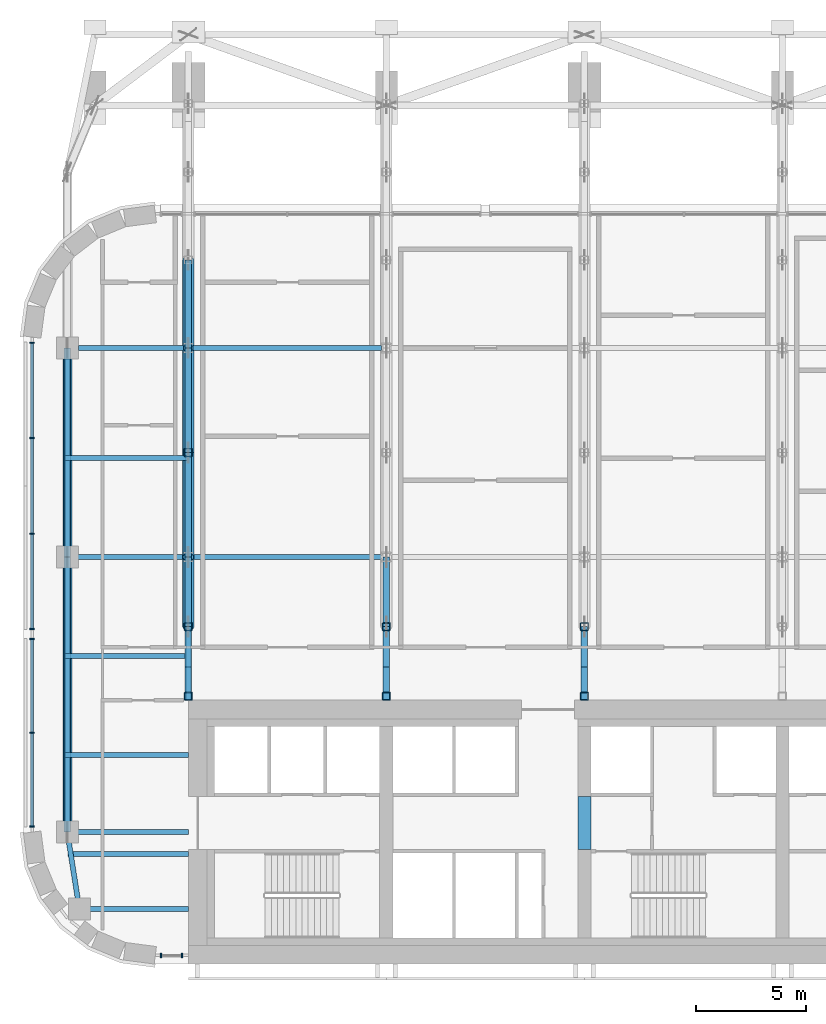
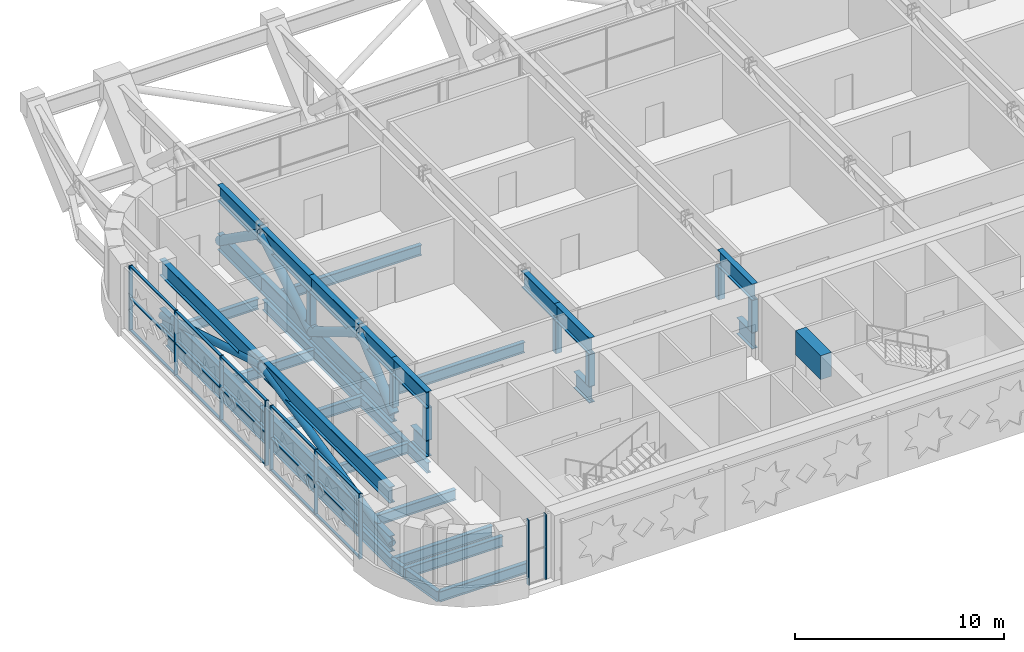
# One storey, part 2 of 23: 56 members, 14 beams, 3 elements without a shape of their own.
"""IFC4 building model written with IfcOpenShell, lengths in metres."""

from ifc_helpers import new_model, si_unit, direction, frame, origin, origin_2d, place, context, subcontext, project, spatial, rectangle, hollow_rectangle, hollow_circle, i_section, extrude, material, material_profile, profile_set, type_object, element, aggregate, save


model = new_model("IFC4")

# Units and contexts
model_context = context("Model", 3, precision=1e-05, world=origin(), true_north=direction((0.0, 1.0)))
body_context = subcontext(model_context, "Body", "Model", "MODEL_VIEW")
ifc_project = project(units=[si_unit("LENGTHUNIT", "METRE"), si_unit("AREAUNIT", "SQUARE_METRE"), si_unit("VOLUMEUNIT", "CUBIC_METRE"), si_unit("PLANEANGLEUNIT", "RADIAN"), si_unit("MASSUNIT", "GRAM", prefix="KILO")], contexts=[model_context])

# Site, building, storey
site_placement = place(None, origin())
site = spatial("IfcSite", under=ifc_project, at=site_placement, CompositionType="ELEMENT")
building_placement = place(site_placement, origin())
building = spatial("IfcBuilding", under=site, at=building_placement, Name="Zellij Exchange Tower", CompositionType="ELEMENT")
storey_placement = place(building_placement, frame((0.0, 0.0, 160.5)))
storey = spatial("IfcBuildingStorey", under=building, at=storey_placement, Name="L36", CompositionType="ELEMENT", Elevation=160.5)

# Beam
ifc_material_1 = material(Name="Concrete C60/75", Category="concrete")
ifc_material_profile_1 = material_profile(ifc_material_1, rectangle(XDim=0.60009765625, YDim=1.39990234375, at=origin_2d()), Name="CORE-CB 600x1400 C60/75")
ifc_profile_set_1 = profile_set([ifc_material_profile_1], Name="Concrete C60/75")
beam_type_1 = type_object("IfcBeamType", Name="CORE-CB 600x1400 C60/75", PredefinedType="BEAM", material=ifc_profile_set_1)
beam_1_placement = place(storey_placement, frame((-9.0, -8.800048828125, 3.10009765625), z_axis=(0.0, 1.0, 0.0), x_axis=(-1.0, 0.0, 0.0)))
element("IfcBeam", 1, at=beam_1_placement, inside=storey, type_object=beam_type_1, Name="Core coupling beam x -9 L36", PredefinedType="BEAM", context=body_context, shape_type="SweptSolid", body=[
    extrude(rectangle(XDim=0.60009765625, YDim=1.39990234375, at=origin_2d()), origin(), (0.0, 0.0, 1.0), 2.425048828125),
])

# Curtain wall, members
ifc_material_2 = material(Name="Aluminium frame, clear insulating glass", Category="aluminium")
curtain_wall_type = type_object("IfcCurtainWallType", Name="ENV-CW2 Outrigger-storey glazing", PredefinedType="NOTDEFINED", material=ifc_material_2)
curtain_wall_1_placement = place(storey_placement, origin())
curtain_wall_1 = element("IfcCurtainWall", 2, at=curtain_wall_1_placement, inside=storey, type_object=curtain_wall_type, Name="cw.L36.00a", PredefinedType="NOTDEFINED")
ifc_material_3 = material(Name="Aluminium", Category="aluminium")
ifc_material_profile_2 = material_profile(ifc_material_3, rectangle(XDim=0.06005859375, YDim=0.199951171875, at=origin_2d()), Name="AL 60x200")
ifc_profile_set_2 = profile_set([ifc_material_profile_2], Name="Aluminium")
member_type_1 = type_object("IfcMemberType", Name="ENV-CW2M Mullion 60x200", PredefinedType="MULLION", material=ifc_profile_set_2)
member_1_placement = place(storey_placement, frame((-28.243896484375, -13.60009765625, 0.0), z_axis=(0.0, 0.0, 1.0), x_axis=(1.0, 0.0, 0.0)))
member_1 = element("IfcMember", 3, at=member_1_placement, type_object=member_type_1, Name="CW2 mullion 1", PredefinedType="MULLION", context=body_context, shape_type="SweptSolid", body=[
    extrude(rectangle(XDim=0.06005859375, YDim=0.199951171875, at=origin_2d()), origin(), (0.0, 0.0, 1.0), 3.800048828125),
])
member_2_placement = place(storey_placement, frame((-27.280029296875, -13.60009765625, 0.0), z_axis=(0.0, 0.0, 1.0), x_axis=(1.0, 0.0, 0.0)))
member_2 = element("IfcMember", 4, at=member_2_placement, type_object=member_type_1, Name="CW2 mullion 2", PredefinedType="MULLION", context=body_context, shape_type="SweptSolid", body=[
    extrude(rectangle(XDim=0.06005859375, YDim=0.199951171875, at=origin_2d()), origin(), (0.0, 0.0, 1.0), 3.800048828125),
])
aggregate(curtain_wall_1, [member_1, member_2])

curtain_wall_2_placement = place(storey_placement, origin())
curtain_wall_2 = element("IfcCurtainWall", 5, at=curtain_wall_2_placement, inside=storey, type_object=curtain_wall_type, Name="cw.L36.21a", PredefinedType="NOTDEFINED")
member_3_placement = place(storey_placement, frame((-34.10009765625, 14.243896484375, 0.0), z_axis=(0.0, 0.0, 1.0), x_axis=(0.0, -1.0, 0.0)))
member_3 = element("IfcMember", 6, at=member_3_placement, type_object=member_type_1, Name="CW2 mullion 1", PredefinedType="MULLION", context=body_context, shape_type="SweptSolid", body=[
    extrude(rectangle(XDim=0.06005859375, YDim=0.199951171875, at=origin_2d()), origin(), (0.0, 0.0, 1.0), 3.800048828125),
])
member_4_placement = place(storey_placement, frame((-34.10009765625, 9.917724609375, 0.0), z_axis=(0.0, 0.0, 1.0), x_axis=(0.0, -1.0, 0.0)))
member_4 = element("IfcMember", 7, at=member_4_placement, type_object=member_type_1, Name="CW2 mullion 2", PredefinedType="MULLION", context=body_context, shape_type="SweptSolid", body=[
    extrude(rectangle(XDim=0.06005859375, YDim=0.199951171875, at=origin_2d()), origin(), (0.0, 0.0, 1.0), 3.800048828125),
])
member_5_placement = place(storey_placement, frame((-34.10009765625, 5.5615234375, 0.0), z_axis=(0.0, 0.0, 1.0), x_axis=(0.0, -1.0, 0.0)))
member_5 = element("IfcMember", 8, at=member_5_placement, type_object=member_type_1, Name="CW2 mullion 3", PredefinedType="MULLION", context=body_context, shape_type="SweptSolid", body=[
    extrude(rectangle(XDim=0.06005859375, YDim=0.199951171875, at=origin_2d()), origin(), (0.0, 0.0, 1.0), 3.800048828125),
])
member_6_placement = place(storey_placement, frame((-34.10009765625, 1.2353515625, 0.0), z_axis=(0.0, 0.0, 1.0), x_axis=(0.0, -1.0, 0.0)))
member_6 = element("IfcMember", 9, at=member_6_placement, type_object=member_type_1, Name="CW2 mullion 4", PredefinedType="MULLION", context=body_context, shape_type="SweptSolid", body=[
    extrude(rectangle(XDim=0.06005859375, YDim=0.199951171875, at=origin_2d()), origin(), (0.0, 0.0, 1.0), 3.800048828125),
])

curtain_wall_3_placement = place(storey_placement, origin())
curtain_wall_3 = element("IfcCurtainWall", 10, at=curtain_wall_3_placement, inside=storey, type_object=curtain_wall_type, Name="cw.L36.21b", PredefinedType="NOTDEFINED")
member_7_placement = place(storey_placement, frame((-34.10009765625, 0.775390625, 0.0), z_axis=(0.0, 0.0, 1.0), x_axis=(0.0, -1.0, 0.0)))
member_7 = element("IfcMember", 11, at=member_7_placement, type_object=member_type_1, Name="CW2 mullion 1", PredefinedType="MULLION", context=body_context, shape_type="SweptSolid", body=[
    extrude(rectangle(XDim=0.06005859375, YDim=0.199951171875, at=origin_2d()), origin(), (0.0, 0.0, 1.0), 3.800048828125),
])
member_8_placement = place(storey_placement, frame((-34.10009765625, -3.484130859375, 0.0), z_axis=(0.0, 0.0, 1.0), x_axis=(0.0, -1.0, 0.0)))
member_8 = element("IfcMember", 12, at=member_8_placement, type_object=member_type_1, Name="CW2 mullion 2", PredefinedType="MULLION", context=body_context, shape_type="SweptSolid", body=[
    extrude(rectangle(XDim=0.06005859375, YDim=0.199951171875, at=origin_2d()), origin(), (0.0, 0.0, 1.0), 3.800048828125),
])
member_9_placement = place(storey_placement, frame((-34.10009765625, -7.743896484375, 0.0), z_axis=(0.0, 0.0, 1.0), x_axis=(0.0, -1.0, 0.0)))
member_9 = element("IfcMember", 13, at=member_9_placement, type_object=member_type_1, Name="CW2 mullion 3", PredefinedType="MULLION", context=body_context, shape_type="SweptSolid", body=[
    extrude(rectangle(XDim=0.06005859375, YDim=0.199951171875, at=origin_2d()), origin(), (0.0, 0.0, 1.0), 3.800048828125),
])

# Member
ifc_material_profile_3 = material_profile(ifc_material_3, rectangle(XDim=0.139892578125, YDim=0.06005859375, at=origin_2d()), Name="AL 140x60")
ifc_profile_set_3 = profile_set([ifc_material_profile_3], Name="Aluminium")
member_type_2 = type_object("IfcMemberType", Name="ENV-CW2T Transom 140x60", PredefinedType="USERDEFINED", material=ifc_profile_set_3)
member_10_placement = place(storey_placement, frame((-34.10009765625, 14.2138671875, 0.030029296875), z_axis=(0.0, -1.0, 0.0), x_axis=(1.0, 0.0, 0.0)))
member_10 = element("IfcMember", 14, at=member_10_placement, type_object=member_type_2, Name="CW2 transom 1.1", ObjectType="TRANSOM", PredefinedType="USERDEFINED", context=body_context, shape_type="SweptSolid", body=[
    extrude(rectangle(XDim=0.139892578125, YDim=0.06005859375, at=origin_2d()), origin(), (0.0, 0.0, 1.0), 4.26611328125),
])

member_11_placement = place(storey_placement, frame((-34.10009765625, 14.2138671875, 1.89990234375), z_axis=(0.0, -1.0, 0.0), x_axis=(1.0, 0.0, 0.0)))
member_11 = element("IfcMember", 15, at=member_11_placement, type_object=member_type_2, Name="CW2 transom 1.2", ObjectType="TRANSOM", PredefinedType="USERDEFINED", context=body_context, shape_type="SweptSolid", body=[
    extrude(rectangle(XDim=0.139892578125, YDim=0.06005859375, at=origin_2d()), origin(), (0.0, 0.0, 1.0), 4.26611328125),
])

member_12_placement = place(storey_placement, frame((-34.10009765625, 14.2138671875, 3.77001953125), z_axis=(0.0, -1.0, 0.0), x_axis=(1.0, 0.0, 0.0)))
member_12 = element("IfcMember", 16, at=member_12_placement, type_object=member_type_2, Name="CW2 transom 1.3", ObjectType="TRANSOM", PredefinedType="USERDEFINED", context=body_context, shape_type="SweptSolid", body=[
    extrude(rectangle(XDim=0.139892578125, YDim=0.06005859375, at=origin_2d()), origin(), (0.0, 0.0, 1.0), 4.26611328125),
])

member_13_placement = place(storey_placement, frame((-34.10009765625, 9.8876953125, 0.030029296875), z_axis=(0.0, -1.0, 0.0), x_axis=(1.0, 0.0, 0.0)))
member_13 = element("IfcMember", 17, at=member_13_placement, type_object=member_type_2, Name="CW2 transom 2.1", ObjectType="TRANSOM", PredefinedType="USERDEFINED", context=body_context, shape_type="SweptSolid", body=[
    extrude(rectangle(XDim=0.139892578125, YDim=0.06005859375, at=origin_2d()), origin(), (0.0, 0.0, 1.0), 4.296142578125),
])

member_14_placement = place(storey_placement, frame((-34.10009765625, 9.8876953125, 1.89990234375), z_axis=(0.0, -1.0, 0.0), x_axis=(1.0, 0.0, 0.0)))
member_14 = element("IfcMember", 18, at=member_14_placement, type_object=member_type_2, Name="CW2 transom 2.2", ObjectType="TRANSOM", PredefinedType="USERDEFINED", context=body_context, shape_type="SweptSolid", body=[
    extrude(rectangle(XDim=0.139892578125, YDim=0.06005859375, at=origin_2d()), origin(), (0.0, 0.0, 1.0), 4.296142578125),
])

member_15_placement = place(storey_placement, frame((-34.10009765625, 9.8876953125, 3.77001953125), z_axis=(0.0, -1.0, 0.0), x_axis=(1.0, 0.0, 0.0)))
member_15 = element("IfcMember", 19, at=member_15_placement, type_object=member_type_2, Name="CW2 transom 2.3", ObjectType="TRANSOM", PredefinedType="USERDEFINED", context=body_context, shape_type="SweptSolid", body=[
    extrude(rectangle(XDim=0.139892578125, YDim=0.06005859375, at=origin_2d()), origin(), (0.0, 0.0, 1.0), 4.296142578125),
])

member_16_placement = place(storey_placement, frame((-34.10009765625, 5.531494140625, 0.030029296875), z_axis=(0.0, -1.0, 0.0), x_axis=(1.0, 0.0, 0.0)))
member_16 = element("IfcMember", 20, at=member_16_placement, type_object=member_type_2, Name="CW2 transom 3.1", ObjectType="TRANSOM", PredefinedType="USERDEFINED", context=body_context, shape_type="SweptSolid", body=[
    extrude(rectangle(XDim=0.139892578125, YDim=0.06005859375, at=origin_2d()), origin(), (0.0, 0.0, 1.0), 4.26611328125),
])

member_17_placement = place(storey_placement, frame((-34.10009765625, 5.531494140625, 1.89990234375), z_axis=(0.0, -1.0, 0.0), x_axis=(1.0, 0.0, 0.0)))
member_17 = element("IfcMember", 21, at=member_17_placement, type_object=member_type_2, Name="CW2 transom 3.2", ObjectType="TRANSOM", PredefinedType="USERDEFINED", context=body_context, shape_type="SweptSolid", body=[
    extrude(rectangle(XDim=0.139892578125, YDim=0.06005859375, at=origin_2d()), origin(), (0.0, 0.0, 1.0), 4.26611328125),
])

member_18_placement = place(storey_placement, frame((-34.10009765625, 5.531494140625, 3.77001953125), z_axis=(0.0, -1.0, 0.0), x_axis=(1.0, 0.0, 0.0)))
member_18 = element("IfcMember", 22, at=member_18_placement, type_object=member_type_2, Name="CW2 transom 3.3", ObjectType="TRANSOM", PredefinedType="USERDEFINED", context=body_context, shape_type="SweptSolid", body=[
    extrude(rectangle(XDim=0.139892578125, YDim=0.06005859375, at=origin_2d()), origin(), (0.0, 0.0, 1.0), 4.26611328125),
])

aggregate(curtain_wall_2, [member_3, member_4, member_5, member_6, member_10, member_11, member_12, member_13, member_14, member_15, member_16, member_17, member_18])

member_19_placement = place(storey_placement, frame((-34.10009765625, 0.745361328125, 0.030029296875), z_axis=(0.0, -1.0, 0.0), x_axis=(1.0, 0.0, 0.0)))
member_19 = element("IfcMember", 23, at=member_19_placement, type_object=member_type_2, Name="CW2 transom 1.1", ObjectType="TRANSOM", PredefinedType="USERDEFINED", context=body_context, shape_type="SweptSolid", body=[
    extrude(rectangle(XDim=0.139892578125, YDim=0.06005859375, at=origin_2d()), origin(), (0.0, 0.0, 1.0), 4.19970703125),
])

member_20_placement = place(storey_placement, frame((-34.10009765625, 0.745361328125, 1.89990234375), z_axis=(0.0, -1.0, 0.0), x_axis=(1.0, 0.0, 0.0)))
member_20 = element("IfcMember", 24, at=member_20_placement, type_object=member_type_2, Name="CW2 transom 1.2", ObjectType="TRANSOM", PredefinedType="USERDEFINED", context=body_context, shape_type="SweptSolid", body=[
    extrude(rectangle(XDim=0.139892578125, YDim=0.06005859375, at=origin_2d()), origin(), (0.0, 0.0, 1.0), 4.19970703125),
])

member_21_placement = place(storey_placement, frame((-34.10009765625, 0.745361328125, 3.77001953125), z_axis=(0.0, -1.0, 0.0), x_axis=(1.0, 0.0, 0.0)))
member_21 = element("IfcMember", 25, at=member_21_placement, type_object=member_type_2, Name="CW2 transom 1.3", ObjectType="TRANSOM", PredefinedType="USERDEFINED", context=body_context, shape_type="SweptSolid", body=[
    extrude(rectangle(XDim=0.139892578125, YDim=0.06005859375, at=origin_2d()), origin(), (0.0, 0.0, 1.0), 4.19970703125),
])

member_22_placement = place(storey_placement, frame((-34.10009765625, -3.51416015625, 0.030029296875), z_axis=(0.0, -1.0, 0.0), x_axis=(1.0, 0.0, 0.0)))
member_22 = element("IfcMember", 26, at=member_22_placement, type_object=member_type_2, Name="CW2 transom 2.1", ObjectType="TRANSOM", PredefinedType="USERDEFINED", context=body_context, shape_type="SweptSolid", body=[
    extrude(rectangle(XDim=0.139892578125, YDim=0.06005859375, at=origin_2d()), origin(), (0.0, 0.0, 1.0), 4.19970703125),
])

member_23_placement = place(storey_placement, frame((-34.10009765625, -3.51416015625, 1.89990234375), z_axis=(0.0, -1.0, 0.0), x_axis=(1.0, 0.0, 0.0)))
member_23 = element("IfcMember", 27, at=member_23_placement, type_object=member_type_2, Name="CW2 transom 2.2", ObjectType="TRANSOM", PredefinedType="USERDEFINED", context=body_context, shape_type="SweptSolid", body=[
    extrude(rectangle(XDim=0.139892578125, YDim=0.06005859375, at=origin_2d()), origin(), (0.0, 0.0, 1.0), 4.19970703125),
])

member_24_placement = place(storey_placement, frame((-34.10009765625, -3.51416015625, 3.77001953125), z_axis=(0.0, -1.0, 0.0), x_axis=(1.0, 0.0, 0.0)))
member_24 = element("IfcMember", 28, at=member_24_placement, type_object=member_type_2, Name="CW2 transom 2.3", ObjectType="TRANSOM", PredefinedType="USERDEFINED", context=body_context, shape_type="SweptSolid", body=[
    extrude(rectangle(XDim=0.139892578125, YDim=0.06005859375, at=origin_2d()), origin(), (0.0, 0.0, 1.0), 4.19970703125),
])

aggregate(curtain_wall_3, [member_7, member_8, member_9, member_19, member_20, member_21, member_22, member_23, member_24])

# Beams
ifc_material_4 = material(Name="Structural steel ASTM A992 Gr 50", Category="steel")
ifc_material_profile_4 = material_profile(ifc_material_4, i_section(OverallWidth=0.227783203125, OverallDepth=0.60205078125, WebThickness=0.010498046875, FlangeThickness=0.014892578125, at=origin_2d()), Name="W24x68")
ifc_profile_set_4 = profile_set([ifc_material_profile_4], Name="Structural steel ASTM A992 Gr 50")
beam_type_2 = type_object("IfcBeamType", Name="STR-BEAM W24x68", PredefinedType="BEAM", material=ifc_profile_set_4)
beam_2_placement = place(storey_placement, frame((-32.458740234375, -9.0, -0.65087890625), z_axis=(1.0, 0.0, 0.0), x_axis=(0.0, 1.0, 0.0)))
element("IfcBeam", 29, at=beam_2_placement, inside=storey, type_object=beam_type_2, Name="B5", PredefinedType="BEAM", context=body_context, shape_type="SweptSolid", body=[
    extrude(i_section(OverallWidth=0.227783203125, OverallDepth=0.60205078125, WebThickness=0.010498046875, FlangeThickness=0.014892578125, at=origin_2d()), origin(), (0.0, 0.0, 1.0), 5.458740234375),
])
for number, where, z_axis, x_axis, name in (
    (30, (-32.614501953125, -4.5, -0.65087890625), (1.0, 0.0, 0.0), (0.0, 1.0, 0.0), "B5"),
    (31, (-32.614501953125, 0.0, -0.65087890625), (1.0, 0.0, 0.0), (0.0, 1.0, 0.0), "B5"),
    (32, (-32.614501953125, 9.0, -0.65087890625), (1.0, 0.0, 0.0), (0.0, 1.0, 0.0), "B5"),
):
    element("IfcBeam", number, at=place(storey_placement, frame(where, z_axis=z_axis, x_axis=x_axis)), inside=storey, type_object=beam_type_2, Name=name, PredefinedType="BEAM", context=body_context, shape_type="SweptSolid", body=[
        extrude(i_section(OverallWidth=0.227783203125, OverallDepth=0.60205078125, WebThickness=0.010498046875, FlangeThickness=0.014892578125, at=origin_2d()), origin(), (0.0, 0.0, 1.0), 5.614501953125),
    ])

# Members
ifc_material_profile_5 = material_profile(ifc_material_4, i_section(OverallWidth=0.307373046875, OverallDepth=0.9423828125, WebThickness=0.022216796875, FlangeThickness=0.039794921875, at=origin_2d()), Name="W36x232")
ifc_profile_set_5 = profile_set([ifc_material_profile_5], Name="Structural steel ASTM A992 Gr 50")
member_type_3 = type_object("IfcMemberType", Name="STR-BELT TRUSS CHORD W36x232", PredefinedType="CHORD", material=ifc_profile_set_5)
for number, where, z_axis, x_axis, name in (
    (33, (-32.5, -8.0, 0.47119140625), (0.0, 1.0, 0.0), (-1.0, 0.0, 0.0), "BT1"),
    (34, (-32.5, -8.0, 3.328857421875), (0.0, 1.0, 0.0), (-1.0, 0.0, 0.0), "BT1"),
):
    element("IfcMember", number, at=place(storey_placement, frame(where, z_axis=z_axis, x_axis=x_axis)), inside=storey, type_object=member_type_3, Name=name, PredefinedType="CHORD", context=body_context, shape_type="SweptSolid", body=[
        extrude(i_section(OverallWidth=0.307373046875, OverallDepth=0.9423828125, WebThickness=0.022216796875, FlangeThickness=0.039794921875, at=origin_2d()), origin(), (0.0, 0.0, 1.0), 12.5),
    ])
for number, where, z_axis, x_axis, name in (
    (35, (-32.5, 4.5, 0.47119140625), (0.0, 1.0, 0.0), (-1.0, 0.0, 0.0), "BT1"),
    (36, (-32.5, 4.5, 3.328857421875), (0.0, 1.0, 0.0), (-1.0, 0.0, 0.0), "BT1"),
):
    element("IfcMember", number, at=place(storey_placement, frame(where, z_axis=z_axis, x_axis=x_axis)), inside=storey, type_object=member_type_3, Name=name, PredefinedType="CHORD", context=body_context, shape_type="SweptSolid", body=[
        extrude(i_section(OverallWidth=0.307373046875, OverallDepth=0.9423828125, WebThickness=0.022216796875, FlangeThickness=0.039794921875, at=origin_2d()), origin(), (0.0, 0.0, 1.0), 9.5),
    ])
ifc_material_5 = material(Name="Structural steel ASTM A500 Gr C", Category="steel")
ifc_material_profile_6 = material_profile(ifc_material_5, hollow_circle(Radius=0.203125, WallThickness=0.01171875, at=origin_2d()), Name="STR-BELT TRUSS DIAGONAL HSS16.000x0.500")
ifc_profile_set_6 = profile_set([ifc_material_profile_6], Name="Structural steel ASTM A500 Gr C")
member_type_4 = type_object("IfcMemberType", Name="STR-BELT TRUSS DIAGONAL HSS16.000x0.500", PredefinedType="BRACE", material=ifc_profile_set_6)
member_25_placement = place(storey_placement, frame((-32.5, -8.0, 0.47119140625), z_axis=(0.0, 0.974849643102, 0.222863575635), x_axis=(-1.0, 0.0, 0.0)))
element("IfcMember", 37, at=member_25_placement, inside=storey, type_object=member_type_4, Name="BT2", PredefinedType="BRACE", context=body_context, shape_type="SweptSolid", body=[
    extrude(hollow_circle(Radius=0.203125, WallThickness=0.01171875, at=origin_2d()), origin(), (0.0, 0.0, 1.0), 12.822509765625),
])
member_26_placement = place(storey_placement, frame((-32.5, 4.5, 3.328857421875), z_axis=(0.0, 0.957613340709, -0.288056747353), x_axis=(-1.0, 0.0, 0.0)))
element("IfcMember", 38, at=member_26_placement, inside=storey, type_object=member_type_4, Name="BT2", PredefinedType="BRACE", context=body_context, shape_type="SweptSolid", body=[
    extrude(hollow_circle(Radius=0.203125, WallThickness=0.01171875, at=origin_2d()), origin(), (0.0, 0.0, 1.0), 9.92041015625),
])

# Beams
ifc_material_profile_7 = material_profile(ifc_material_4, i_section(OverallWidth=0.22900390625, OverallDepth=0.612060546875, WebThickness=0.011962890625, FlangeThickness=0.01953125, at=origin_2d()), Name="W24x84")
ifc_profile_set_7 = profile_set([ifc_material_profile_7], Name="Structural steel ASTM A992 Gr 50")
beam_type_3 = type_object("IfcBeamType", Name="STR-EDGE GIRDER W24x84", PredefinedType="BEAM", material=ifc_profile_set_7)
beam_3_placement = place(storey_placement, frame((-31.949951171875, -11.5, -0.656005859375), z_axis=(-0.155251283593, 0.987875011802, 0.0), x_axis=(-0.987875011802, -0.155251283593, 0.0)))
element("IfcBeam", 39, at=beam_3_placement, inside=storey, type_object=beam_type_3, Name="EB6", PredefinedType="BEAM", context=body_context, shape_type="SweptSolid", body=[
    extrude(i_section(OverallWidth=0.22900390625, OverallDepth=0.612060546875, WebThickness=0.011962890625, FlangeThickness=0.01953125, at=origin_2d()), origin(), (0.0, 0.0, 1.0), 3.54296875),
])
beam_4_placement = place(storey_placement, frame((-32.5, -8.0, -0.656005859375), z_axis=(0.0, 1.0, 0.0), x_axis=(-1.0, 0.0, 0.0)))
element("IfcBeam", 40, at=beam_4_placement, inside=storey, type_object=beam_type_3, Name="EB6", PredefinedType="BEAM", context=body_context, shape_type="SweptSolid", body=[
    extrude(i_section(OverallWidth=0.22900390625, OverallDepth=0.612060546875, WebThickness=0.011962890625, FlangeThickness=0.01953125, at=origin_2d()), origin(), (0.0, 0.0, 1.0), 12.5),
])
beam_5_placement = place(storey_placement, frame((-32.5, 4.5, -0.656005859375), z_axis=(0.0, 1.0, 0.0), x_axis=(-1.0, 0.0, 0.0)))
element("IfcBeam", 41, at=beam_5_placement, inside=storey, type_object=beam_type_3, Name="EB6", PredefinedType="BEAM", context=body_context, shape_type="SweptSolid", body=[
    extrude(i_section(OverallWidth=0.22900390625, OverallDepth=0.612060546875, WebThickness=0.011962890625, FlangeThickness=0.01953125, at=origin_2d()), origin(), (0.0, 0.0, 1.0), 9.0),
])
ifc_material_profile_8 = material_profile(ifc_material_4, i_section(OverallWidth=0.22900390625, OverallDepth=0.612060546875, WebThickness=0.011962890625, FlangeThickness=0.01953125, at=origin_2d()), Name="W24x84")
ifc_profile_set_8 = profile_set([ifc_material_profile_8], Name="Structural steel ASTM A992 Gr 50")
beam_type_4 = type_object("IfcBeamType", Name="STR-GIRDER W24x84", PredefinedType="BEAM", material=ifc_profile_set_8)
beam_6_placement = place(storey_placement, frame((-31.949951171875, -11.5, -0.656005859375), z_axis=(1.0, 0.0, 0.0), x_axis=(0.0, 1.0, 0.0)))
element("IfcBeam", 42, at=beam_6_placement, inside=storey, type_object=beam_type_4, Name="G4", PredefinedType="BEAM", context=body_context, shape_type="SweptSolid", body=[
    extrude(i_section(OverallWidth=0.22900390625, OverallDepth=0.612060546875, WebThickness=0.011962890625, FlangeThickness=0.01953125, at=origin_2d()), origin(), (0.0, 0.0, 1.0), 4.949951171875),
])
beam_7_placement = place(storey_placement, frame((-32.5, -8.0, -0.656005859375), z_axis=(1.0, 0.0, 0.0), x_axis=(0.0, 1.0, 0.0)))
element("IfcBeam", 43, at=beam_7_placement, inside=storey, type_object=beam_type_4, Name="G4", PredefinedType="BEAM", context=body_context, shape_type="SweptSolid", body=[
    extrude(i_section(OverallWidth=0.22900390625, OverallDepth=0.612060546875, WebThickness=0.011962890625, FlangeThickness=0.01953125, at=origin_2d()), origin(), (0.0, 0.0, 1.0), 5.5),
])
beam_8_placement = place(storey_placement, frame((-32.5, 4.5, -0.656005859375), z_axis=(1.0, 0.0, 0.0), x_axis=(0.0, 1.0, 0.0)))
element("IfcBeam", 44, at=beam_8_placement, inside=storey, type_object=beam_type_4, Name="G4", PredefinedType="BEAM", context=body_context, shape_type="SweptSolid", body=[
    extrude(i_section(OverallWidth=0.22900390625, OverallDepth=0.612060546875, WebThickness=0.011962890625, FlangeThickness=0.01953125, at=origin_2d()), origin(), (0.0, 0.0, 1.0), 14.5),
])
beam_9_placement = place(storey_placement, frame((-32.0, 14.0, -0.656005859375), z_axis=(1.0, 0.0, 0.0), x_axis=(0.0, 1.0, 0.0)))
element("IfcBeam", 45, at=beam_9_placement, inside=storey, type_object=beam_type_4, Name="G4", PredefinedType="BEAM", context=body_context, shape_type="SweptSolid", body=[
    extrude(i_section(OverallWidth=0.22900390625, OverallDepth=0.612060546875, WebThickness=0.011962890625, FlangeThickness=0.01953125, at=origin_2d()), origin(), (0.0, 0.0, 1.0), 4.790283203125),
])
beam_10_placement = place(storey_placement, frame((-26.790283203125, 14.0, -0.656005859375), z_axis=(1.0, 0.0, 0.0), x_axis=(0.0, 1.0, 0.0)))
element("IfcBeam", 46, at=beam_10_placement, inside=storey, type_object=beam_type_4, Name="G4", PredefinedType="BEAM", context=body_context, shape_type="SweptSolid", body=[
    extrude(i_section(OverallWidth=0.22900390625, OverallDepth=0.612060546875, WebThickness=0.011962890625, FlangeThickness=0.01953125, at=origin_2d()), origin(), (0.0, 0.0, 1.0), 8.58056640625),
])
beam_11_placement = place(storey_placement, frame((-27.0, -2.0, -0.656005859375), z_axis=(0.0, 1.0, 0.0), x_axis=(-1.0, 0.0, 0.0)))
element("IfcBeam", 47, at=beam_11_placement, inside=storey, type_object=beam_type_4, Name="G4", PredefinedType="BEAM", context=body_context, shape_type="SweptSolid", body=[
    extrude(i_section(OverallWidth=0.22900390625, OverallDepth=0.612060546875, WebThickness=0.011962890625, FlangeThickness=0.01953125, at=origin_2d()), origin(), (0.0, 0.0, 1.0), 15.772705078125),
])

# Members
ifc_material_6 = material(Name="Structural steel ASTM A913 Gr 65", Category="steel")
ifc_material_profile_9 = material_profile(ifc_material_6, i_section(OverallWidth=0.2998046875, OverallDepth=0.965087890625, WebThickness=0.01904296875, FlangeThickness=0.0361328125, at=origin_2d()), Name="W40x249")
ifc_profile_set_9 = profile_set([ifc_material_profile_9], Name="Structural steel ASTM A913 Gr 65")
member_type_5 = type_object("IfcMemberType", Name="STR-OUTRIGGER TRUSS CHORD W40x249", PredefinedType="CHORD", material=ifc_profile_set_9)
member_27_placement = place(storey_placement, frame((-27.0, -2.0, 3.3173828125), z_axis=(0.0, 1.0, 0.0), x_axis=(-1.0, 0.0, 0.0)))
element("IfcMember", 48, at=member_27_placement, inside=storey, type_object=member_type_5, Name="OT1", PredefinedType="CHORD", context=body_context, shape_type="SweptSolid", body=[
    extrude(i_section(OverallWidth=0.2998046875, OverallDepth=0.965087890625, WebThickness=0.01904296875, FlangeThickness=0.0361328125, at=origin_2d()), origin(), (0.0, 0.0, 1.0), 3.339111328125),
])
member_28_placement = place(storey_placement, frame((-27.0, -2.0, 0.482666015625), z_axis=(0.0, 1.0, 0.0), x_axis=(-1.0, 0.0, 0.0)))
element("IfcMember", 49, at=member_28_placement, inside=storey, type_object=member_type_5, Name="OT1", PredefinedType="CHORD", context=body_context, shape_type="SweptSolid", body=[
    extrude(i_section(OverallWidth=0.2998046875, OverallDepth=0.965087890625, WebThickness=0.01904296875, FlangeThickness=0.0361328125, at=origin_2d()), origin(), (0.0, 0.0, 1.0), 1.5),
])
for number, where, z_axis, x_axis, name in (
    (50, (-27.0, 1.339111328125, 3.3173828125), (0.0, 1.0, 0.0), (-1.0, 0.0, 0.0), "OT1"),
    (51, (-27.0, 1.339111328125, 0.482666015625), (0.0, 1.0, 0.0), (-1.0, 0.0, 0.0), "OT1"),
):
    element("IfcMember", number, at=place(storey_placement, frame(where, z_axis=z_axis, x_axis=x_axis)), inside=storey, type_object=member_type_5, Name=name, PredefinedType="CHORD", context=body_context, shape_type="SweptSolid", body=[
        extrude(i_section(OverallWidth=0.2998046875, OverallDepth=0.965087890625, WebThickness=0.01904296875, FlangeThickness=0.0361328125, at=origin_2d()), origin(), (0.0, 0.0, 1.0), 3.160888671875),
    ])
for number, where, z_axis, x_axis, name in (
    (52, (-27.0, 4.5, 3.3173828125), (0.0, 1.0, 0.0), (-1.0, 0.0, 0.0), "OT1"),
    (53, (-27.0, 4.5, 0.482666015625), (0.0, 1.0, 0.0), (-1.0, 0.0, 0.0), "OT1"),
    (54, (-27.0, 9.25, 3.3173828125), (0.0, 1.0, 0.0), (-1.0, 0.0, 0.0), "OT1"),
    (55, (-27.0, 9.25, 0.482666015625), (0.0, 1.0, 0.0), (-1.0, 0.0, 0.0), "OT1"),
):
    element("IfcMember", number, at=place(storey_placement, frame(where, z_axis=z_axis, x_axis=x_axis)), inside=storey, type_object=member_type_5, Name=name, PredefinedType="CHORD", context=body_context, shape_type="SweptSolid", body=[
        extrude(i_section(OverallWidth=0.2998046875, OverallDepth=0.965087890625, WebThickness=0.01904296875, FlangeThickness=0.0361328125, at=origin_2d()), origin(), (0.0, 0.0, 1.0), 4.75),
    ])
for number, where, z_axis, x_axis, name in (
    (56, (-27.0, 14.0, 3.3173828125), (0.0, 1.0, 0.0), (-1.0, 0.0, 0.0), "OT1"),
    (57, (-27.0, 14.0, 0.482666015625), (0.0, 1.0, 0.0), (-1.0, 0.0, 0.0), "OT1"),
):
    element("IfcMember", number, at=place(storey_placement, frame(where, z_axis=z_axis, x_axis=x_axis)), inside=storey, type_object=member_type_5, Name=name, PredefinedType="CHORD", context=body_context, shape_type="SweptSolid", body=[
        extrude(i_section(OverallWidth=0.2998046875, OverallDepth=0.965087890625, WebThickness=0.01904296875, FlangeThickness=0.0361328125, at=origin_2d()), origin(), (0.0, 0.0, 1.0), 4.0),
    ])
member_29_placement = place(storey_placement, frame((-18.0, -2.0, 3.3173828125), z_axis=(0.0, 1.0, 0.0), x_axis=(-1.0, 0.0, 0.0)))
element("IfcMember", 58, at=member_29_placement, inside=storey, type_object=member_type_5, Name="OT1", PredefinedType="CHORD", context=body_context, shape_type="SweptSolid", body=[
    extrude(i_section(OverallWidth=0.2998046875, OverallDepth=0.965087890625, WebThickness=0.01904296875, FlangeThickness=0.0361328125, at=origin_2d()), origin(), (0.0, 0.0, 1.0), 3.339111328125),
])
member_30_placement = place(storey_placement, frame((-18.0, -2.0, 0.482666015625), z_axis=(0.0, 1.0, 0.0), x_axis=(-1.0, 0.0, 0.0)))
element("IfcMember", 59, at=member_30_placement, inside=storey, type_object=member_type_5, Name="OT1", PredefinedType="CHORD", context=body_context, shape_type="SweptSolid", body=[
    extrude(i_section(OverallWidth=0.2998046875, OverallDepth=0.965087890625, WebThickness=0.01904296875, FlangeThickness=0.0361328125, at=origin_2d()), origin(), (0.0, 0.0, 1.0), 1.5),
])
member_31_placement = place(storey_placement, frame((-18.0, 1.339111328125, 3.3173828125), z_axis=(0.0, 1.0, 0.0), x_axis=(-1.0, 0.0, 0.0)))
element("IfcMember", 60, at=member_31_placement, inside=storey, type_object=member_type_5, Name="OT1", PredefinedType="CHORD", context=body_context, shape_type="SweptSolid", body=[
    extrude(i_section(OverallWidth=0.2998046875, OverallDepth=0.965087890625, WebThickness=0.01904296875, FlangeThickness=0.0361328125, at=origin_2d()), origin(), (0.0, 0.0, 1.0), 3.160888671875),
])
member_32_placement = place(storey_placement, frame((-9.0, -2.0, 3.3173828125), z_axis=(0.0, 1.0, 0.0), x_axis=(-1.0, 0.0, 0.0)))
element("IfcMember", 61, at=member_32_placement, inside=storey, type_object=member_type_5, Name="OT1", PredefinedType="CHORD", context=body_context, shape_type="SweptSolid", body=[
    extrude(i_section(OverallWidth=0.2998046875, OverallDepth=0.965087890625, WebThickness=0.01904296875, FlangeThickness=0.0361328125, at=origin_2d()), origin(), (0.0, 0.0, 1.0), 3.339111328125),
])
member_33_placement = place(storey_placement, frame((-9.0, -2.0, 0.482666015625), z_axis=(0.0, 1.0, 0.0), x_axis=(-1.0, 0.0, 0.0)))
element("IfcMember", 62, at=member_33_placement, inside=storey, type_object=member_type_5, Name="OT1", PredefinedType="CHORD", context=body_context, shape_type="SweptSolid", body=[
    extrude(i_section(OverallWidth=0.2998046875, OverallDepth=0.965087890625, WebThickness=0.01904296875, FlangeThickness=0.0361328125, at=origin_2d()), origin(), (0.0, 0.0, 1.0), 1.5),
])
ifc_material_profile_10 = material_profile(ifc_material_5, hollow_circle(Radius=0.25390625, WallThickness=0.01171875, at=origin_2d()), Name="STR-OUTRIGGER TRUSS DIAGONAL HSS20.000x0.500")
ifc_profile_set_10 = profile_set([ifc_material_profile_10], Name="Structural steel ASTM A500 Gr C")
member_type_6 = type_object("IfcMemberType", Name="STR-OUTRIGGER TRUSS DIAGONAL HSS20.000x0.500", PredefinedType="BRACE", material=ifc_profile_set_10)
member_34_placement = place(storey_placement, frame((-27.0, 1.339111328125, 0.482666015625), z_axis=(0.0, 0.744473836996, 0.667651635233), x_axis=(-1.0, 0.0, 0.0)))
element("IfcMember", 63, at=member_34_placement, inside=storey, type_object=member_type_6, Name="OT2", PredefinedType="BRACE", context=body_context, shape_type="SweptSolid", body=[
    extrude(hollow_circle(Radius=0.25390625, WallThickness=0.01171875, at=origin_2d()), origin(), (0.0, 0.0, 1.0), 4.245849609375),
])
for number, where, z_axis, x_axis, name in (
    (64, (-27.0, 4.5, 3.3173828125), (0.0, 0.858709450823, -0.512462758712), (-1.0, 0.0, 0.0), "OT2"),
    (65, (-27.0, 9.25, 0.482666015625), (0.0, 0.858709450823, 0.512462758712), (-1.0, 0.0, 0.0), "OT2"),
):
    element("IfcMember", number, at=place(storey_placement, frame(where, z_axis=z_axis, x_axis=x_axis)), inside=storey, type_object=member_type_6, Name=name, PredefinedType="BRACE", context=body_context, shape_type="SweptSolid", body=[
        extrude(hollow_circle(Radius=0.25390625, WallThickness=0.01171875, at=origin_2d()), origin(), (0.0, 0.0, 1.0), 5.531494140625),
    ])
member_35_placement = place(storey_placement, frame((-27.0, 14.0, 3.3173828125), z_axis=(0.0, 0.815891357609, -0.57820523396), x_axis=(-1.0, 0.0, 0.0)))
element("IfcMember", 66, at=member_35_placement, inside=storey, type_object=member_type_6, Name="OT2", PredefinedType="BRACE", context=body_context, shape_type="SweptSolid", body=[
    extrude(hollow_circle(Radius=0.25390625, WallThickness=0.01171875, at=origin_2d()), origin(), (0.0, 0.0, 1.0), 4.902587890625),
])
ifc_material_profile_11 = material_profile(ifc_material_5, hollow_rectangle(XDim=0.355712890625, YDim=0.355712890625, WallThickness=0.01171875, InnerFilletRadius=0.01171875, OuterFilletRadius=0.023681640625, at=origin_2d()), Name="STR-OUTRIGGER TRUSS POST HSS14x14x1/2")
ifc_profile_set_11 = profile_set([ifc_material_profile_11], Name="Structural steel ASTM A500 Gr C")
member_type_7 = type_object("IfcMemberType", Name="STR-OUTRIGGER TRUSS POST HSS14x14x1/2", PredefinedType="POST", material=ifc_profile_set_11)
for number, where, z_axis, x_axis, name in (
    (67, (-27.0, -1.822265625, 0.965087890625), (0.0, 0.0, 1.0), (1.0, 0.0, 0.0), "OT3"),
    (68, (-27.0, 1.339111328125, 0.965087890625), (0.0, 0.0, 1.0), (1.0, 0.0, 0.0), "OT3"),
    (69, (-27.0, 9.25, 0.965087890625), (0.0, 0.0, 1.0), (1.0, 0.0, 0.0), "OT3"),
    (70, (-18.0, -1.822265625, 0.965087890625), (0.0, 0.0, 1.0), (1.0, 0.0, 0.0), "OT3"),
    (71, (-18.0, 1.339111328125, 0.965087890625), (0.0, 0.0, 1.0), (1.0, 0.0, 0.0), "OT3"),
    (72, (-9.0, -1.822265625, 0.965087890625), (0.0, 0.0, 1.0), (1.0, 0.0, 0.0), "OT3"),
    (73, (-9.0, 1.339111328125, 0.965087890625), (0.0, 0.0, 1.0), (1.0, 0.0, 0.0), "OT3"),
):
    element("IfcMember", number, at=place(storey_placement, frame(where, z_axis=z_axis, x_axis=x_axis)), inside=storey, type_object=member_type_7, Name=name, PredefinedType="POST", context=body_context, shape_type="SweptSolid", body=[
        extrude(hollow_rectangle(XDim=0.355712890625, YDim=0.355712890625, WallThickness=0.01171875, InnerFilletRadius=0.01171875, OuterFilletRadius=0.023681640625, at=origin_2d()), origin(), (0.0, 0.0, 1.0), 1.86962890625),
    ])

save(model, "model.ifc")
